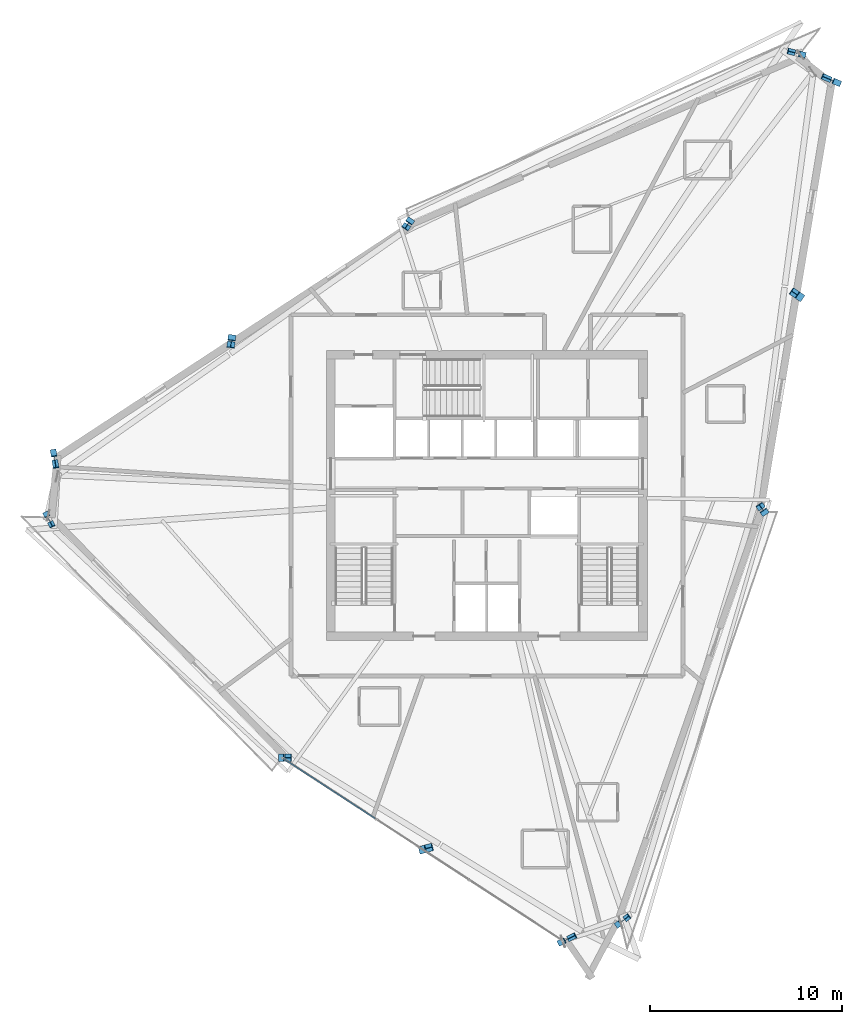
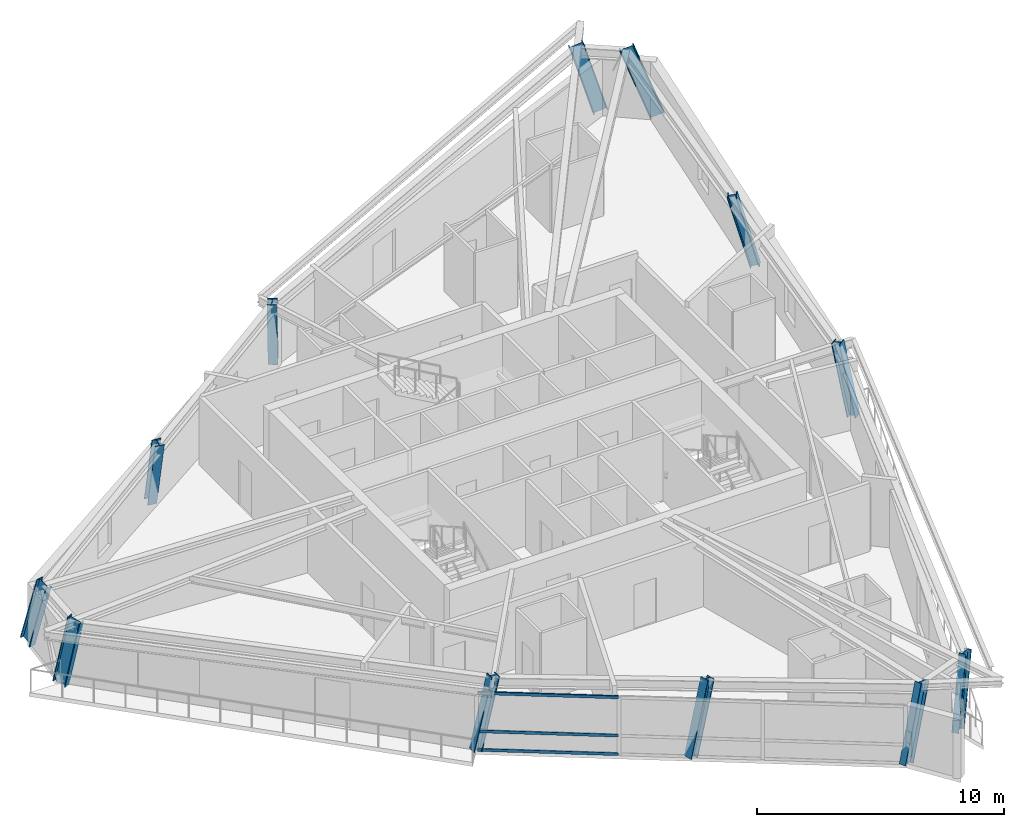
# One storey, part 1 of 14: 12 columns, 3 members, 1 element without a shape of its own.
"""IFC4 building model written with IfcOpenShell, lengths in metres."""

from ifc_helpers import new_model, si_unit, direction, frame, origin, origin_2d, place, context, subcontext, project, spatial, hollow_rectangle, i_section, extrude, source, transform, mapped, material, material_profile, profile_set, type_object, element, aggregate, save


model = new_model("IFC4")

# Units and contexts
model_context = context("Model", 3, precision=1e-05, world=origin(), true_north=direction((0.0, 1.0)))
body_context = subcontext(model_context, "Body", "Model", "MODEL_VIEW")
ifc_project = project(units=[si_unit("LENGTHUNIT", "METRE"), si_unit("AREAUNIT", "SQUARE_METRE"), si_unit("VOLUMEUNIT", "CUBIC_METRE"), si_unit("PLANEANGLEUNIT", "RADIAN"), si_unit("MASSUNIT", "GRAM", prefix="KILO")], contexts=[model_context])

# Site, building, storey
site_placement = place(None, origin())
site = spatial("IfcSite", under=ifc_project, at=site_placement, CompositionType="ELEMENT")
building_placement = place(site_placement, origin())
building = spatial("IfcBuilding", under=site, at=building_placement, Name="Olszyna Solenne Hotel", CompositionType="ELEMENT")
storey_placement = place(building_placement, frame((0.0, 0.0, 252.5)))
storey = spatial("IfcBuildingStorey", under=building, at=storey_placement, Name="L67", CompositionType="ELEMENT", Elevation=252.5)

# Columns
ifc_material_1 = material(Name="Steel S460M", Category="steel")
ifc_material_profile_1 = material_profile(ifc_material_1, i_section(OverallWidth=0.304931640625, OverallDepth=0.6201171875, WebThickness=0.02099609375, FlangeThickness=0.0400390625, at=origin_2d()), Name="HEM 600", Category="load-bearing")
ifc_profile_set_1 = profile_set([ifc_material_profile_1], Name="Steel S460M")
column_type_1 = type_object("IfcColumnType", Name="COL-K3", PredefinedType="COLUMN", material=ifc_profile_set_1)
shared_shape_1 = source(origin(), body_context, "Body", "SweptSolid", [
    extrude(i_section(OverallWidth=0.304931640625, OverallDepth=0.6201171875, WebThickness=0.02099609375, FlangeThickness=0.0400390625, at=origin_2d()), origin(), (0.0, 0.0, 1.0), 3.6572265625),
])
column_1_placement = place(storey_placement, frame((56.146484375, 48.118408203125, 0.0), z_axis=(-0.316024684734, 0.133846534198, 0.939262212549), x_axis=(-0.389995305072, -0.920816844993, 0.0)))
element("IfcColumn", 1, at=column_1_placement, inside=storey, type_object=column_type_1, Name="Perimeter framed-tube column COL-K3 C-L67-01", PredefinedType="COLUMN", context=body_context, shape_type="MappedRepresentation", body=[
    mapped(shared_shape_1, transform((0.0, 0.0, 0.0), x_axis=(1.0, 0.0, 0.0), y_axis=(0.0, 1.0, 0.0), z_axis=(0.0, 0.0, 1.0), scale=1.0)),
])
shared_shape_2 = source(origin(), body_context, "Body", "SweptSolid", [
    extrude(i_section(OverallWidth=0.304931640625, OverallDepth=0.6201171875, WebThickness=0.02099609375, FlangeThickness=0.0400390625, at=origin_2d()), origin(), (0.0, 0.0, 1.0), 3.577880859375),
])
column_2_placement = place(storey_placement, frame((54.29931640625, 49.564208984375, 0.0), z_axis=(-0.271302646107, 0.06830330703, 0.960067462455), x_axis=(-0.244142151433, -0.969739454644, 0.0)))
element("IfcColumn", 2, at=column_2_placement, inside=storey, type_object=column_type_1, Name="Perimeter framed-tube column COL-K3 C-L67-02", PredefinedType="COLUMN", context=body_context, shape_type="MappedRepresentation", body=[
    mapped(shared_shape_2, transform((0.0, 0.0, 0.0), x_axis=(1.0, 0.0, 0.0), y_axis=(0.0, 1.0, 0.0), z_axis=(0.0, 0.0, 1.0), scale=1.0)),
])
ifc_material_profile_2 = material_profile(ifc_material_1, i_section(OverallWidth=0.40087890625, OverallDepth=0.39892578125, WebThickness=0.02197265625, FlangeThickness=0.034423828125, at=origin_2d()), Name="HD 400x314", Category="load-bearing")
ifc_profile_set_2 = profile_set([ifc_material_profile_2], Name="Steel S460M")
column_type_2 = type_object("IfcColumnType", Name="COL-T5", PredefinedType="COLUMN", material=ifc_profile_set_2)
shared_shape_3 = source(origin(), body_context, "Body", "SweptSolid", [
    extrude(i_section(OverallWidth=0.40087890625, OverallDepth=0.39892578125, WebThickness=0.02197265625, FlangeThickness=0.034423828125, at=origin_2d()), origin(), (0.0, 0.0, 1.0), 3.503173828125),
])
column_3_placement = place(storey_placement, frame((33.973388671875, 40.827392578125, 0.0), z_axis=(-0.110601306067, -0.162034049531, 0.980567344902), x_axis=(0.825934119992, -0.563766644485, 0.0)))
element("IfcColumn", 3, at=column_3_placement, inside=storey, type_object=column_type_2, Name="Perimeter framed-tube column COL-T5 C-L67-03", PredefinedType="COLUMN", context=body_context, shape_type="MappedRepresentation", body=[
    mapped(shared_shape_3, transform((0.0, 0.0, 0.0), x_axis=(1.0, 0.0, 0.0), y_axis=(0.0, 1.0, 0.0), z_axis=(0.0, 0.0, 1.0), scale=1.0)),
])
shared_shape_4 = source(origin(), body_context, "Body", "SweptSolid", [
    extrude(i_section(OverallWidth=0.40087890625, OverallDepth=0.39892578125, WebThickness=0.02197265625, FlangeThickness=0.034423828125, at=origin_2d()), origin(), (0.0, 0.0, 1.0), 3.5302734375),
])
column_4_placement = place(storey_placement, frame((24.722412109375, 34.7626953125, 0.0), z_axis=(-0.030704903352, -0.228696205821, 0.973013491352), x_axis=(0.991107085952, -0.133066690705, 0.0)))
element("IfcColumn", 4, at=column_4_placement, inside=storey, type_object=column_type_2, Name="Perimeter framed-tube column COL-T5 C-L67-04", PredefinedType="COLUMN", context=body_context, shape_type="MappedRepresentation", body=[
    mapped(shared_shape_4, transform((0.0, 0.0, 0.0), x_axis=(1.0, 0.0, 0.0), y_axis=(0.0, 1.0, 0.0), z_axis=(0.0, 0.0, 1.0), scale=1.0)),
])
shared_shape_5 = source(origin(), body_context, "Body", "SweptSolid", [
    extrude(i_section(OverallWidth=0.304931640625, OverallDepth=0.6201171875, WebThickness=0.02099609375, FlangeThickness=0.0400390625, at=origin_2d()), origin(), (0.0, 0.0, 1.0), 3.59521484375),
])
column_5_placement = place(storey_placement, frame((15.470947265625, 28.69775390625, 0.0), z_axis=(0.047604177854, -0.291193601478, 0.95547900485), x_axis=(0.986899246585, 0.161337773287, 0.0)))
element("IfcColumn", 5, at=column_5_placement, inside=storey, type_object=column_type_1, Name="Perimeter framed-tube column COL-K3 C-L67-05", PredefinedType="COLUMN", context=body_context, shape_type="MappedRepresentation", body=[
    mapped(shared_shape_5, transform((0.0, 0.0, 0.0), x_axis=(1.0, 0.0, 0.0), y_axis=(0.0, 1.0, 0.0), z_axis=(0.0, 0.0, 1.0), scale=1.0)),
])
shared_shape_6 = source(origin(), body_context, "Body", "SweptSolid", [
    extrude(i_section(OverallWidth=0.304931640625, OverallDepth=0.6201171875, WebThickness=0.02099609375, FlangeThickness=0.0400390625, at=origin_2d()), origin(), (0.0, 0.0, 1.0), 3.510498046875),
])
column_6_placement = place(storey_placement, frame((15.15380859375, 25.46240234375, 0.0), z_axis=(0.091177357458, -0.184788893033, 0.978539602928), x_axis=(0.896777314294, 0.442482144915, 0.0)))
element("IfcColumn", 6, at=column_6_placement, inside=storey, type_object=column_type_1, Name="Perimeter framed-tube column COL-K3 C-L67-06", PredefinedType="COLUMN", context=body_context, shape_type="MappedRepresentation", body=[
    mapped(shared_shape_6, transform((0.0, 0.0, 0.0), x_axis=(1.0, 0.0, 0.0), y_axis=(0.0, 1.0, 0.0), z_axis=(0.0, 0.0, 1.0), scale=1.0)),
])
shared_shape_7 = source(origin(), body_context, "Body", "SweptSolid", [
    extrude(i_section(OverallWidth=0.40087890625, OverallDepth=0.39892578125, WebThickness=0.02197265625, FlangeThickness=0.034423828125, at=origin_2d()), origin(), (0.0, 0.0, 1.0), 3.53173828125),
])
column_7_placement = place(storey_placement, frame((27.34130859375, 12.940185546875, 0.0), z_axis=(0.232405350285, -0.001036906679, 0.972618464756), x_axis=(0.004461585576, 0.999990047078, 0.0)))
element("IfcColumn", 7, at=column_7_placement, inside=storey, type_object=column_type_2, Name="Perimeter framed-tube column COL-T5 C-L67-07", PredefinedType="COLUMN", context=body_context, shape_type="MappedRepresentation", body=[
    mapped(shared_shape_7, transform((0.0, 0.0, 0.0), x_axis=(1.0, 0.0, 0.0), y_axis=(0.0, 1.0, 0.0), z_axis=(0.0, 0.0, 1.0), scale=1.0)),
])
shared_shape_8 = source(origin(), body_context, "Body", "SweptSolid", [
    extrude(i_section(OverallWidth=0.40087890625, OverallDepth=0.39892578125, WebThickness=0.02197265625, FlangeThickness=0.034423828125, at=origin_2d()), origin(), (0.0, 0.0, 1.0), 3.56494140625),
])
column_8_placement = place(storey_placement, frame((34.658935546875, 8.166015625, 0.0), z_axis=(0.25846285316, 0.068553607847, 0.963585676724), x_axis=(-0.256371217802, 0.966578397587, 0.0)))
element("IfcColumn", 8, at=column_8_placement, inside=storey, type_object=column_type_2, Name="Perimeter framed-tube column COL-T5 C-L67-08", PredefinedType="COLUMN", context=body_context, shape_type="MappedRepresentation", body=[
    mapped(shared_shape_8, transform((0.0, 0.0, 0.0), x_axis=(1.0, 0.0, 0.0), y_axis=(0.0, 1.0, 0.0), z_axis=(0.0, 0.0, 1.0), scale=1.0)),
])
shared_shape_9 = source(origin(), body_context, "Body", "SweptSolid", [
    extrude(i_section(OverallWidth=0.304931640625, OverallDepth=0.6201171875, WebThickness=0.02099609375, FlangeThickness=0.0400390625, at=origin_2d()), origin(), (0.0, 0.0, 1.0), 3.61767578125),
])
column_9_placement = place(storey_placement, frame((41.976318359375, 3.39208984375, 0.0), z_axis=(0.282567518432, 0.136121013776, 0.949540239872), x_axis=(-0.433996754877, 0.900914433649, 0.0)))
element("IfcColumn", 9, at=column_9_placement, inside=storey, type_object=column_type_1, Name="Perimeter framed-tube column COL-K3 C-L67-09", PredefinedType="COLUMN", context=body_context, shape_type="MappedRepresentation", body=[
    mapped(shared_shape_9, transform((0.0, 0.0, 0.0), x_axis=(1.0, 0.0, 0.0), y_axis=(0.0, 1.0, 0.0), z_axis=(0.0, 0.0, 1.0), scale=1.0)),
])
shared_shape_10 = source(origin(), body_context, "Body", "SweptSolid", [
    extrude(i_section(OverallWidth=0.304931640625, OverallDepth=0.6201171875, WebThickness=0.02099609375, FlangeThickness=0.0400390625, at=origin_2d()), origin(), (0.0, 0.0, 1.0), 3.520751953125),
])
column_10_placement = place(storey_placement, frame((44.952880859375, 4.364990234375, 0.0), z_axis=(0.174187178706, 0.133344723189, 0.975642358435), x_axis=(-0.607860680587, 0.794043697158, 0.0)))
element("IfcColumn", 10, at=column_10_placement, inside=storey, type_object=column_type_1, Name="Perimeter framed-tube column COL-K3 C-L67-10", PredefinedType="COLUMN", context=body_context, shape_type="MappedRepresentation", body=[
    mapped(shared_shape_10, transform((0.0, 0.0, 0.0), x_axis=(1.0, 0.0, 0.0), y_axis=(0.0, 1.0, 0.0), z_axis=(0.0, 0.0, 1.0), scale=1.0)),
])
shared_shape_11 = source(origin(), body_context, "Body", "SweptSolid", [
    extrude(i_section(OverallWidth=0.40087890625, OverallDepth=0.39892578125, WebThickness=0.02197265625, FlangeThickness=0.034423828125, at=origin_2d()), origin(), (0.0, 0.0, 1.0), 3.50732421875),
])
column_11_placement = place(storey_placement, frame((52.41552734375, 25.764404296875, 0.0), z_axis=(-0.11464621978, 0.166226577313, 0.97940031105), x_axis=(-0.823196118905, -0.56775712221, 0.0)))
element("IfcColumn", 11, at=column_11_placement, inside=storey, type_object=column_type_2, Name="Perimeter framed-tube column COL-T5 C-L67-11", PredefinedType="COLUMN", context=body_context, shape_type="MappedRepresentation", body=[
    mapped(shared_shape_11, transform((0.0, 0.0, 0.0), x_axis=(1.0, 0.0, 0.0), y_axis=(0.0, 1.0, 0.0), z_axis=(0.0, 0.0, 1.0), scale=1.0)),
])
shared_shape_12 = source(origin(), body_context, "Body", "SweptSolid", [
    extrude(i_section(OverallWidth=0.40087890625, OverallDepth=0.39892578125, WebThickness=0.02197265625, FlangeThickness=0.034423828125, at=origin_2d()), origin(), (0.0, 0.0, 1.0), 3.562744140625),
])
column_12_placement = place(storey_placement, frame((54.281005859375, 36.94140625, 0.0), z_axis=(-0.218659220589, 0.150478109813, 0.964128872983), x_axis=(-0.566912230463, -0.823778200095, 0.0)))
element("IfcColumn", 12, at=column_12_placement, inside=storey, type_object=column_type_2, Name="Perimeter framed-tube column COL-T5 C-L67-12", PredefinedType="COLUMN", context=body_context, shape_type="MappedRepresentation", body=[
    mapped(shared_shape_12, transform((0.0, 0.0, 0.0), x_axis=(1.0, 0.0, 0.0), y_axis=(0.0, 1.0, 0.0), z_axis=(0.0, 0.0, 1.0), scale=1.0)),
])

# Curtain wall, members
ifc_material_2 = material(Name="Anodised bronze aluminium", Category="aluminium")
curtain_wall_type = type_object("IfcCurtainWallType", Name="CW-SYS-4", PredefinedType="NOTDEFINED", material=ifc_material_2)
curtain_wall_placement = place(storey_placement, origin())
curtain_wall = element("IfcCurtainWall", 13, at=curtain_wall_placement, inside=storey, type_object=curtain_wall_type, Name="Unitised curtain wall CW-SYS-4 CW-L67-01", PredefinedType="NOTDEFINED")
ifc_material_profile_3 = material_profile(ifc_material_2, hollow_rectangle(XDim=0.06494140625, YDim=0.139892578125, WallThickness=0.00390625, at=origin_2d()), Name="TRAN 140x65x4", Category="load-bearing")
ifc_profile_set_3 = profile_set([ifc_material_profile_3], Name="Anodised bronze aluminium")
member_type = type_object("IfcMemberType", Name="CW-T2", PredefinedType="USERDEFINED", material=ifc_profile_set_3)
shared_shape_13 = source(origin(), body_context, "Body", "SweptSolid", [
    extrude(hollow_rectangle(XDim=0.06494140625, YDim=0.139892578125, WallThickness=0.00390625, at=origin_2d()), origin(), (0.0, 0.0, 1.0), 5.727294921875),
])
member_1_placement = place(storey_placement, frame((27.395751953125, 12.904541015625, 0.032470703125), z_axis=(0.837518148155, -0.546409508986, 0.0), x_axis=(0.546409508986, 0.837518148155, 0.0)))
member_1 = element("IfcMember", 14, at=member_1_placement, type_object=member_type, Name="Curtain-wall transom CW-T2 CT-L67-01-01", ObjectType="TRANSOM", PredefinedType="USERDEFINED", context=body_context, shape_type="MappedRepresentation", body=[
    mapped(shared_shape_13, transform((0.0, 0.0, 0.0), x_axis=(1.0, 0.0, 0.0), y_axis=(0.0, 1.0, 0.0), z_axis=(0.0, 0.0, 1.0), scale=1.0)),
])
member_2_placement = place(storey_placement, frame((27.395751953125, 12.904541015625, 0.949951171875), z_axis=(0.837518148155, -0.546409508986, 0.0), x_axis=(0.546409508986, 0.837518148155, 0.0)))
member_2 = element("IfcMember", 15, at=member_2_placement, type_object=member_type, Name="Curtain-wall transom CW-T2 CT-L67-01-02", ObjectType="TRANSOM", PredefinedType="USERDEFINED", context=body_context, shape_type="MappedRepresentation", body=[
    mapped(shared_shape_13, transform((0.0, 0.0, 0.0), x_axis=(1.0, 0.0, 0.0), y_axis=(0.0, 1.0, 0.0), z_axis=(0.0, 0.0, 1.0), scale=1.0)),
])
member_3_placement = place(storey_placement, frame((27.395751953125, 12.904541015625, 2.839599609375), z_axis=(0.837518148155, -0.546409508986, 0.0), x_axis=(0.546409508986, 0.837518148155, 0.0)))
member_3 = element("IfcMember", 16, at=member_3_placement, type_object=member_type, Name="Curtain-wall transom CW-T2 CT-L67-01-03", ObjectType="TRANSOM", PredefinedType="USERDEFINED", context=body_context, shape_type="MappedRepresentation", body=[
    mapped(shared_shape_13, transform((0.0, 0.0, 0.0), x_axis=(1.0, 0.0, 0.0), y_axis=(0.0, 1.0, 0.0), z_axis=(0.0, 0.0, 1.0), scale=1.0)),
])
aggregate(curtain_wall, [member_1, member_2, member_3])

save(model, "model.ifc")
